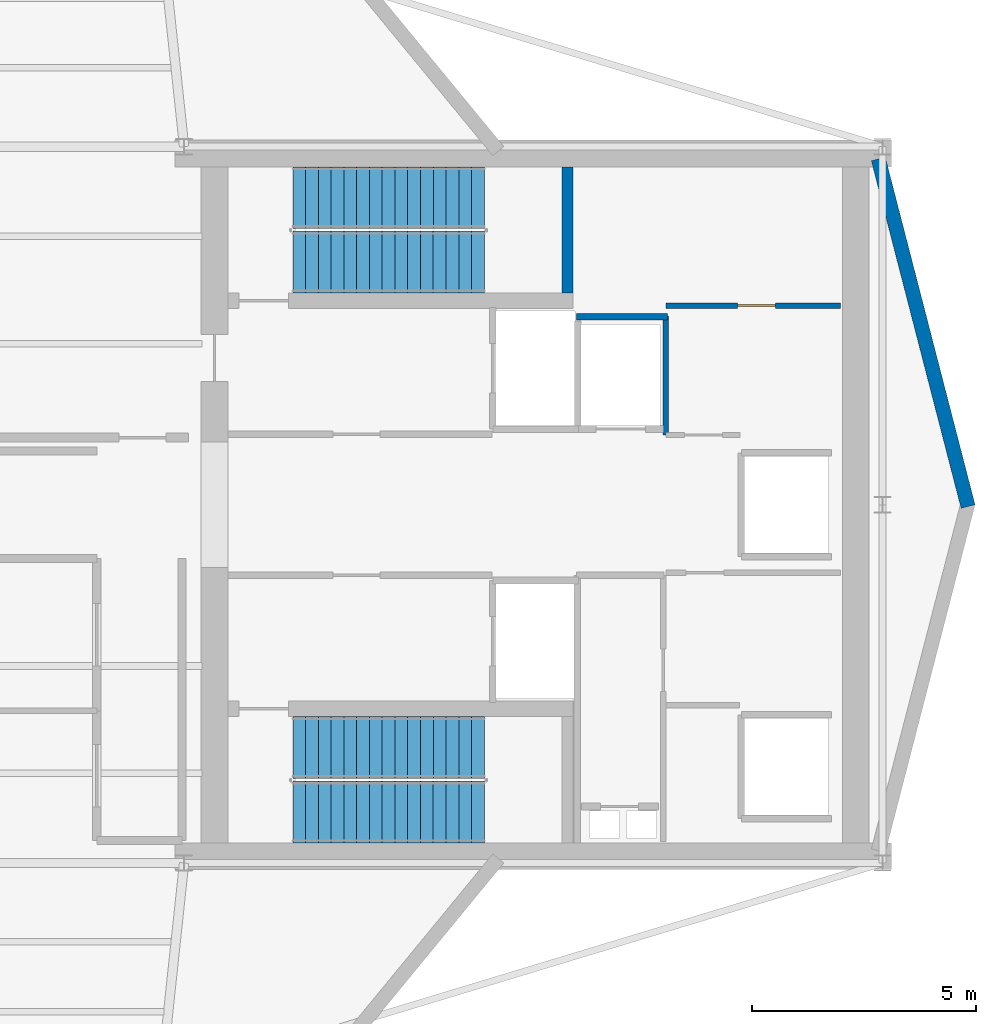
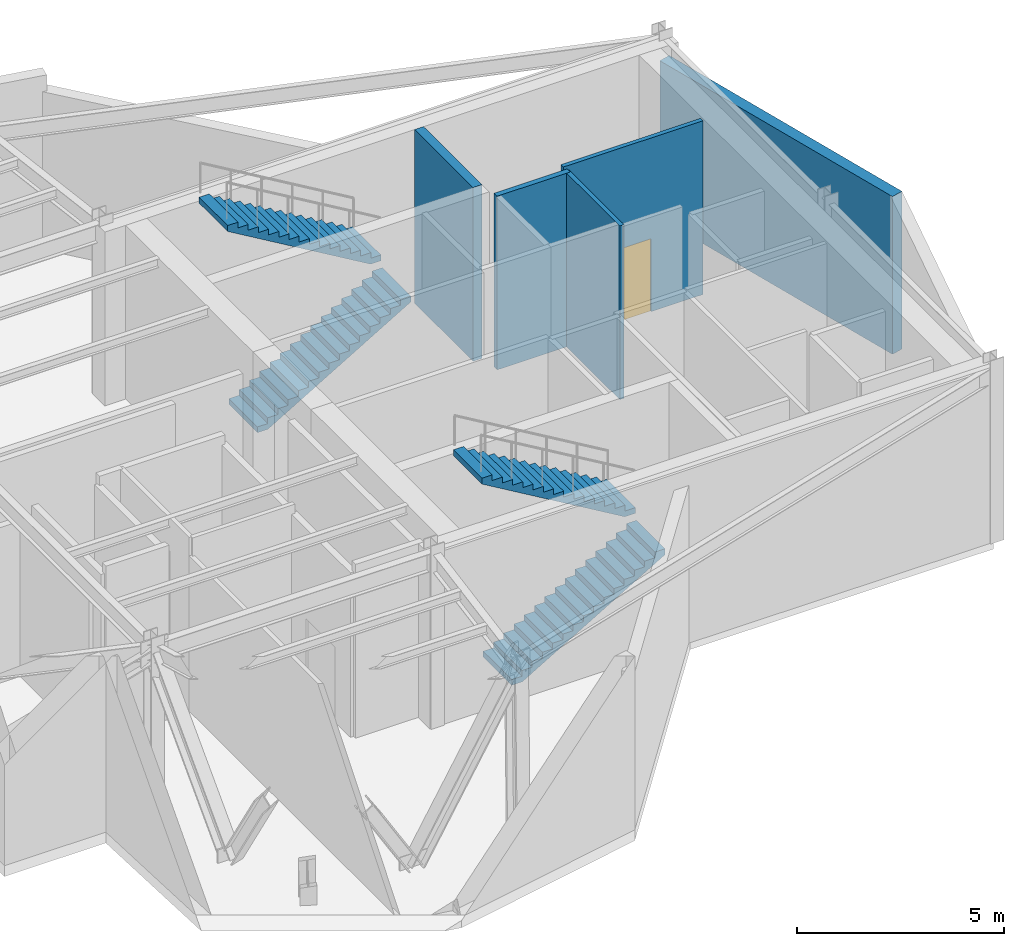
# One storey, part 4 of 5: 5 walls, 4 stair flights, 1 door, 1 opening, 2 elements without a shape of their own.
"""IFC4 building model written with IfcOpenShell, lengths in metres."""

from ifc_helpers import new_model, si_unit, direction, frame, frame_2d, origin, place, context, subcontext, project, spatial, polyline, rectangle, outline, extrude, material, layer, layer_set, type_object, element, fill, aggregate, save


model = new_model("IFC4")

# Units and contexts
model_context = context("Model", 3, precision=1e-05, world=origin(), true_north=direction((0.0, 1.0)))
body_context = subcontext(model_context, "Body", "Model", "MODEL_VIEW")
ifc_project = project(units=[si_unit("LENGTHUNIT", "METRE"), si_unit("AREAUNIT", "SQUARE_METRE"), si_unit("VOLUMEUNIT", "CUBIC_METRE"), si_unit("PLANEANGLEUNIT", "RADIAN"), si_unit("MASSUNIT", "GRAM", prefix="KILO")], contexts=[model_context])

# Site, building, storey
site_placement = place(None, origin())
site = spatial("IfcSite", under=ifc_project, at=site_placement, CompositionType="ELEMENT")
building_placement = place(site_placement, origin())
building = spatial("IfcBuilding", under=site, at=building_placement, Name="Veymaron Broadcast Tower", CompositionType="ELEMENT")
storey_placement = place(building_placement, frame((0.0, 0.0, 256.64990234375)))
storey = spatial("IfcBuildingStorey", under=building, at=storey_placement, Name="L60", CompositionType="ELEMENT", Elevation=256.64990234375)

# Walls
ifc_material_1 = material(Name="Precast concrete C40/50", Category="concrete")
ifc_layer_1 = layer(ifc_material_1, 0.320068359375)
ifc_layer_set_1 = layer_set([ifc_layer_1], Name="Precast concrete C40/50")
wall_type_1 = type_object("IfcWallType", Name="WALL-EXT-320", PredefinedType="STANDARD", material=ifc_layer_set_1)
wall_1_placement = place(storey_placement, frame((56.511474609375, 23.9599609375, 0.0), z_axis=(0.0, 0.0, 1.0), x_axis=(-0.250085170831, 0.968223841542, 0.0)))
element("IfcWall", 1, at=wall_1_placement, inside=storey, type_object=wall_type_1, Name="L60 mechanical belt-truss facade band 3-1", PredefinedType="STANDARD", context=body_context, shape_type="SweptSolid", body=[
    extrude(rectangle(XDim=8.019775390625, YDim=0.320068359375, at=frame_2d((4.009765625, 0.0))), origin(), (0.0, 0.0, 1.0), 4.649169921875),
])
ifc_material_2 = material(Name="Gypsum fireboard and steel stud framing", Category="steel")
ifc_layer_2 = layer(ifc_material_2, 0.14990234375)
ifc_layer_set_2 = layer_set([ifc_layer_2], Name="Gypsum fireboard and steel stud framing")
wall_type_2 = type_object("IfcWallType", Name="WALL-FIRE-150", PredefinedType="PARTITIONING", material=ifc_layer_set_2)
wall_2_placement = place(storey_placement, frame((47.760009765625, 28.199951171875, 0.0), z_axis=(0.0, 0.0, 1.0), x_axis=(1.0, 0.0, 0.0)))
element("IfcWall", 2, at=wall_2_placement, inside=storey, type_object=wall_type_2, Name="L60 partition IW-L60-F2-SW", PredefinedType="PARTITIONING", context=body_context, shape_type="SweptSolid", body=[
    extrude(rectangle(XDim=2.0400390625, YDim=0.14990234375, at=frame_2d((1.02001953125, 0.0))), origin(), (0.0, 0.0, 1.0), 5.1201171875),
])
ifc_material_3 = material(Name="Acoustic gypsum board and galvanized stud", Category="gypsum")
ifc_layer_3 = layer(ifc_material_3, 0.1201171875)
ifc_layer_set_3 = layer_set([ifc_layer_3], Name="Acoustic gypsum board and galvanized stud")
wall_type_3 = type_object("IfcWallType", Name="WALL-PART-120", PredefinedType="PARTITIONING", material=ifc_layer_set_3)
wall_3_placement = place(storey_placement, frame((49.760009765625, 25.56005859375, 0.0), z_axis=(0.0, 0.0, 1.0), x_axis=(0.0, 1.0, 0.0)))
element("IfcWall", 3, at=wall_3_placement, inside=storey, type_object=wall_type_3, Name="L60 partition IW-L60-F2-W1", PredefinedType="PARTITIONING", context=body_context, shape_type="SweptSolid", body=[
    extrude(rectangle(XDim=2.659912109375, YDim=0.1201171875, at=frame_2d((1.330078125, 0.0))), origin(), (0.0, 0.0, 1.0), 5.1201171875),
])

# Wall, opening, door
wall_4_placement = place(storey_placement, frame((49.760009765625, 28.449951171875, 0.0), z_axis=(0.0, 0.0, 1.0), x_axis=(1.0, 0.0, 0.0)))
wall_4 = element("IfcWall", 4, at=wall_4_placement, inside=storey, type_object=wall_type_3, Name="L60 partition IW-L60-F2-M", PredefinedType="PARTITIONING", context=body_context, shape_type="SweptSolid", body=[
    extrude(rectangle(XDim=3.89990234375, YDim=0.1201171875, at=frame_2d((1.949951171875, 0.0))), origin(), (0.0, 0.0, 1.0), 5.1201171875),
])
opening_placement = place(wall_4_placement, frame((1.60009765625, 0.0, 0.0)))
opening = element("IfcOpeningElement", 5, at=opening_placement, cuts=wall_4, Name="Opening ID-WC1", PredefinedType="OPENING", context=body_context, shape_type="SweptSolid", body=[
    extrude(rectangle(XDim=0.85009765625, YDim=2.14990234375, at=frame_2d((0.425048828125, 1.074951171875))), frame((0.0, 0.070068359375, 0.0), z_axis=(0.0, -1.0, 0.0), x_axis=(1.0, 0.0, 0.0)), (0.0, 0.0, 1.0), 0.14013671875),
])
ifc_material_4 = material(Name="Moisture-resistant high-pressure laminate timber", Category="wood")
door_type = type_object("IfcDoorType", Name="DOOR-INT-850", OperationType="NOTDEFINED", PredefinedType="DOOR", material=ifc_material_4)
door_placement = place(opening_placement, origin())
door = element("IfcDoor", 6, at=door_placement, inside=storey, type_object=door_type, Name="L60 door DR-L60-F2B", OperationType="SINGLE_SWING_RIGHT", OverallHeight=2.14990234375, OverallWidth=0.85009765625, PredefinedType="DOOR", context=body_context, shape_type="SweptSolid", body=[
    extrude(rectangle(XDim=0.85009765625, YDim=2.14990234375, at=frame_2d((0.425048828125, 1.074951171875))), frame((0.0, 0.02490234375, 0.0), z_axis=(0.0, -1.0, 0.0), x_axis=(1.0, 0.0, 0.0)), (0.0, 0.0, 1.0), 0.050048828125),
])
fill(opening, door)

# Wall
ifc_material_5 = material(Name="Concrete C50/60", Category="concrete")
ifc_layer_4 = layer(ifc_material_5, 0.25)
ifc_layer_set_4 = layer_set([ifc_layer_4], Name="Concrete C50/60")
wall_type_4 = type_object("IfcWallType", Name="WALL-SHEAR-250", PredefinedType="SHEAR", material=ifc_layer_set_4)
wall_5_placement = place(storey_placement, frame((47.56494140625, 28.72998046875, 0.0), z_axis=(0.0, 0.0, 1.0), x_axis=(0.0, 1.0, 0.0)))
element("IfcWall", 7, at=wall_5_placement, inside=storey, type_object=wall_type_4, Name="L60 Core Wall north stair east shear", PredefinedType="SHEAR", context=body_context, shape_type="SweptSolid", body=[
    extrude(rectangle(XDim=2.820068359375, YDim=0.25, at=frame_2d((1.41015625, 0.0))), origin(), (0.0, 0.0, 1.0), 5.1201171875),
])

# Stair, stair flights
stair_type_1 = type_object("IfcStairType", Name="STAIR-CORE-1", PredefinedType="HALF_TURN_STAIR", material=ifc_material_5)
stair_1_placement = place(storey_placement, origin())
stair_1 = element("IfcStair", 8, at=stair_1_placement, inside=storey, type_object=stair_type_1, Name="L60 North protected dog-leg exit stair ST1", PredefinedType="HALF_TURN_STAIR")
ifc_material_6 = material(Name="Precast concrete C50/60", Category="concrete")
stair_flight_type = type_object("IfcStairFlightType", Name="FLT-CORE-RC", PredefinedType="STRAIGHT", material=ifc_material_6)
stair_flight_1_placement = place(storey_placement, frame((41.429931640625, 29.419921875, 0.0), z_axis=(0.0, 0.0, 1.0), x_axis=(1.0, 0.0, 0.0)))
stair_flight_1 = element("IfcStairFlight", 9, at=stair_flight_1_placement, type_object=stair_flight_type, Name="ST1 flight 1", NumberOfRisers=16, NumberOfTreads=15, PredefinedType="STRAIGHT", RiserHeight=0.16875, TreadLength=0.285, context=body_context, shape_type="SweptSolid", body=[
    extrude(outline(polyline([(0.0, 0.0), (0.0, 0.168701171875), (0.284912109375, 0.168701171875), (0.284912109375, 0.33740234375), (0.570068359375, 0.33740234375), (0.570068359375, 0.50634765625), (0.85498046875, 0.50634765625), (0.85498046875, 0.675048828125), (1.139892578125, 0.675048828125), (1.139892578125, 0.84375), (1.425048828125, 0.84375), (1.425048828125, 1.012451171875), (1.7099609375, 1.012451171875), (1.7099609375, 1.18115234375), (1.9951171875, 1.18115234375), (1.9951171875, 1.35009765625), (2.280029296875, 1.35009765625), (2.280029296875, 1.518798828125), (2.56494140625, 1.518798828125), (2.56494140625, 1.6875), (2.85009765625, 1.6875), (2.85009765625, 1.856201171875), (3.135009765625, 1.856201171875), (3.135009765625, 2.02490234375), (3.419921875, 2.02490234375), (3.419921875, 2.19384765625), (3.705078125, 2.19384765625), (3.705078125, 2.362548828125), (3.989990234375, 2.362548828125), (3.989990234375, 2.53125), (4.27490234375, 2.53125), (4.27490234375, 2.699951171875), (4.27490234375, 2.35693359375), (0.294189453125, 0.0), (0.0, 0.0)])), frame((0.0, 0.68994140625, 0.0), z_axis=(0.0, -1.0, 0.0), x_axis=(1.0, 0.0, 0.0)), (0.0, 0.0, 1.0), 1.3798828125),
])
stair_flight_2_placement = place(storey_placement, frame((45.705078125, 30.860107421875, 2.7001953125), z_axis=(0.0, 0.0, 1.0), x_axis=(-1.0, 0.0, 0.0)))
stair_flight_2 = element("IfcStairFlight", 10, at=stair_flight_2_placement, type_object=stair_flight_type, Name="ST1 flight 2", NumberOfRisers=16, NumberOfTreads=15, PredefinedType="STRAIGHT", RiserHeight=0.16875, TreadLength=0.285, context=body_context, shape_type="SweptSolid", body=[
    extrude(outline(polyline([(0.0, 0.0), (0.0, 0.168701171875), (0.284912109375, 0.168701171875), (0.284912109375, 0.33740234375), (0.570068359375, 0.33740234375), (0.570068359375, 0.50634765625), (0.85498046875, 0.50634765625), (0.85498046875, 0.675048828125), (1.139892578125, 0.675048828125), (1.139892578125, 0.84375), (1.425048828125, 0.84375), (1.425048828125, 1.012451171875), (1.7099609375, 1.012451171875), (1.7099609375, 1.18115234375), (1.9951171875, 1.18115234375), (1.9951171875, 1.35009765625), (2.280029296875, 1.35009765625), (2.280029296875, 1.518798828125), (2.56494140625, 1.518798828125), (2.56494140625, 1.6875), (2.85009765625, 1.6875), (2.85009765625, 1.856201171875), (3.135009765625, 1.856201171875), (3.135009765625, 2.02490234375), (3.419921875, 2.02490234375), (3.419921875, 2.19384765625), (3.705078125, 2.19384765625), (3.705078125, 2.362548828125), (3.989990234375, 2.362548828125), (3.989990234375, 2.53125), (4.27490234375, 2.53125), (4.27490234375, 2.699951171875), (4.27490234375, 2.35693359375), (0.294189453125, 0.0), (0.0, 0.0)])), frame((0.0, 0.68994140625, 0.0), z_axis=(0.0, -1.0, 0.0), x_axis=(1.0, 0.0, 0.0)), (0.0, 0.0, 1.0), 1.3798828125),
])
aggregate(stair_1, [stair_flight_1, stair_flight_2])

stair_type_2 = type_object("IfcStairType", Name="STAIR-CORE-2", PredefinedType="HALF_TURN_STAIR", material=ifc_material_5)
stair_2_placement = place(storey_placement, origin())
stair_2 = element("IfcStair", 11, at=stair_2_placement, inside=storey, type_object=stair_type_2, Name="L60 South protected dog-leg exit stair ST2", PredefinedType="HALF_TURN_STAIR")
stair_flight_3_placement = place(storey_placement, frame((41.429931640625, 17.139892578125, 0.0), z_axis=(0.0, 0.0, 1.0), x_axis=(1.0, 0.0, 0.0)))
stair_flight_3 = element("IfcStairFlight", 12, at=stair_flight_3_placement, type_object=stair_flight_type, Name="ST2 flight 1", NumberOfRisers=16, NumberOfTreads=15, PredefinedType="STRAIGHT", RiserHeight=0.16875, TreadLength=0.285, context=body_context, shape_type="SweptSolid", body=[
    extrude(outline(polyline([(0.0, 0.0), (0.0, 0.168701171875), (0.284912109375, 0.168701171875), (0.284912109375, 0.33740234375), (0.570068359375, 0.33740234375), (0.570068359375, 0.50634765625), (0.85498046875, 0.50634765625), (0.85498046875, 0.675048828125), (1.139892578125, 0.675048828125), (1.139892578125, 0.84375), (1.425048828125, 0.84375), (1.425048828125, 1.012451171875), (1.7099609375, 1.012451171875), (1.7099609375, 1.18115234375), (1.9951171875, 1.18115234375), (1.9951171875, 1.35009765625), (2.280029296875, 1.35009765625), (2.280029296875, 1.518798828125), (2.56494140625, 1.518798828125), (2.56494140625, 1.6875), (2.85009765625, 1.6875), (2.85009765625, 1.856201171875), (3.135009765625, 1.856201171875), (3.135009765625, 2.02490234375), (3.419921875, 2.02490234375), (3.419921875, 2.19384765625), (3.705078125, 2.19384765625), (3.705078125, 2.362548828125), (3.989990234375, 2.362548828125), (3.989990234375, 2.53125), (4.27490234375, 2.53125), (4.27490234375, 2.699951171875), (4.27490234375, 2.35693359375), (0.294189453125, 0.0), (0.0, 0.0)])), frame((0.0, 0.68994140625, 0.0), z_axis=(0.0, -1.0, 0.0), x_axis=(1.0, 0.0, 0.0)), (0.0, 0.0, 1.0), 1.3798828125),
])
stair_flight_4_placement = place(storey_placement, frame((45.705078125, 18.580078125, 2.7001953125), z_axis=(0.0, 0.0, 1.0), x_axis=(-1.0, 0.0, 0.0)))
stair_flight_4 = element("IfcStairFlight", 13, at=stair_flight_4_placement, type_object=stair_flight_type, Name="ST2 flight 2", NumberOfRisers=16, NumberOfTreads=15, PredefinedType="STRAIGHT", RiserHeight=0.16875, TreadLength=0.285, context=body_context, shape_type="SweptSolid", body=[
    extrude(outline(polyline([(0.0, 0.0), (0.0, 0.168701171875), (0.284912109375, 0.168701171875), (0.284912109375, 0.33740234375), (0.570068359375, 0.33740234375), (0.570068359375, 0.50634765625), (0.85498046875, 0.50634765625), (0.85498046875, 0.675048828125), (1.139892578125, 0.675048828125), (1.139892578125, 0.84375), (1.425048828125, 0.84375), (1.425048828125, 1.012451171875), (1.7099609375, 1.012451171875), (1.7099609375, 1.18115234375), (1.9951171875, 1.18115234375), (1.9951171875, 1.35009765625), (2.280029296875, 1.35009765625), (2.280029296875, 1.518798828125), (2.56494140625, 1.518798828125), (2.56494140625, 1.6875), (2.85009765625, 1.6875), (2.85009765625, 1.856201171875), (3.135009765625, 1.856201171875), (3.135009765625, 2.02490234375), (3.419921875, 2.02490234375), (3.419921875, 2.19384765625), (3.705078125, 2.19384765625), (3.705078125, 2.362548828125), (3.989990234375, 2.362548828125), (3.989990234375, 2.53125), (4.27490234375, 2.53125), (4.27490234375, 2.699951171875), (4.27490234375, 2.35693359375), (0.294189453125, 0.0), (0.0, 0.0)])), frame((0.0, 0.68994140625, 0.0), z_axis=(0.0, -1.0, 0.0), x_axis=(1.0, 0.0, 0.0)), (0.0, 0.0, 1.0), 1.3798828125),
])
aggregate(stair_2, [stair_flight_3, stair_flight_4])

save(model, "model.ifc")
